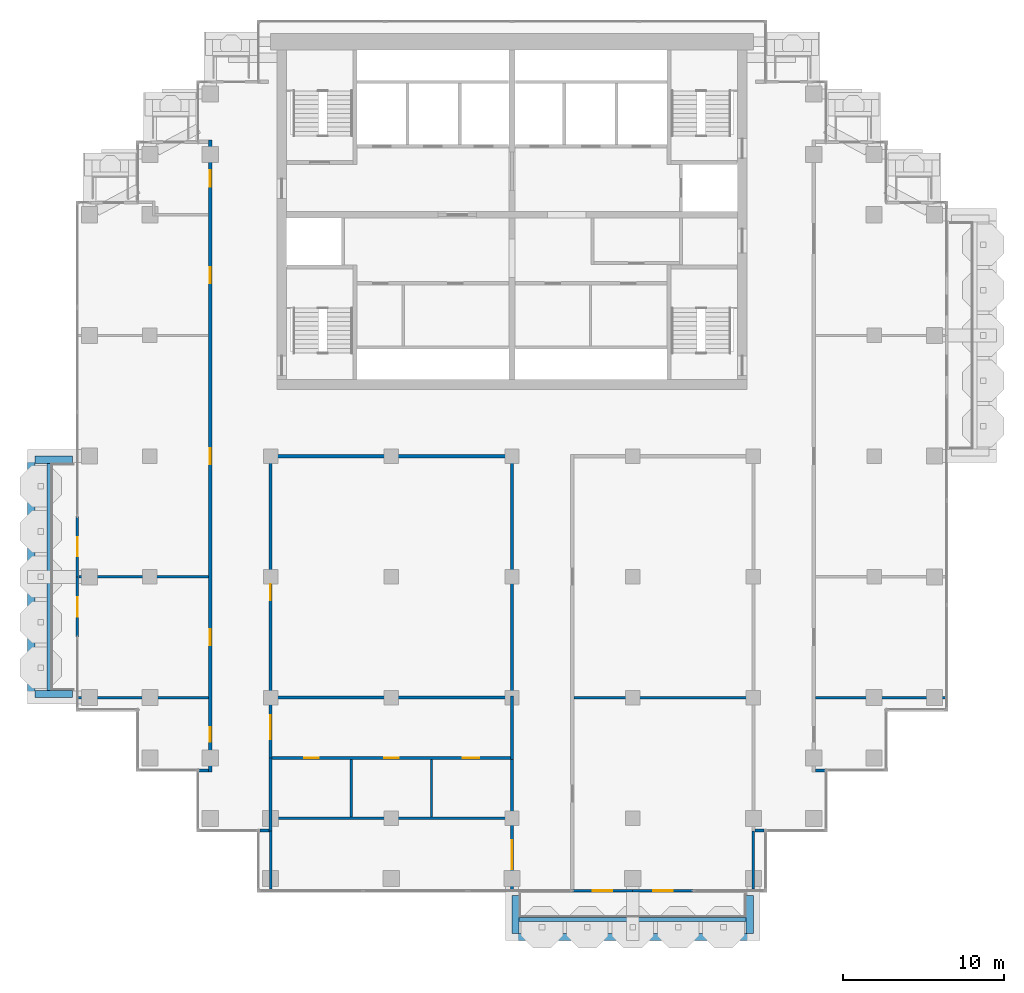
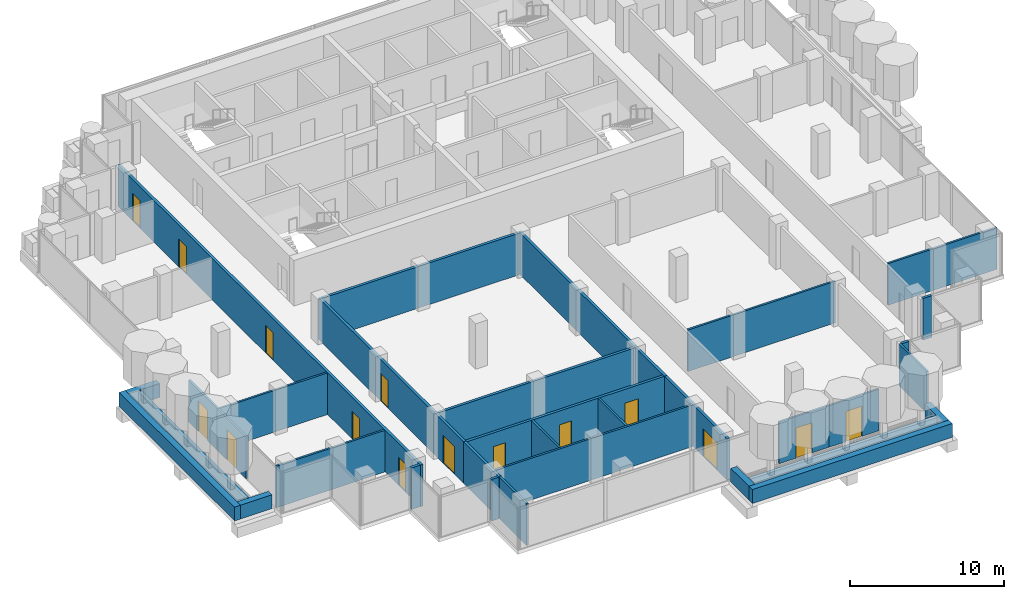
# One storey, part 11 of 18: 35 walls, 15 doors, 15 openings.
"""IFC4 building model written with IfcOpenShell, lengths in metres."""

from ifc_helpers import new_model, si_unit, direction, frame, frame_2d, origin, place, context, subcontext, project, spatial, rectangle, extrude, material, layer, layer_set, type_object, element, fill, save


model = new_model("IFC4")

# Units and contexts
model_context = context("Model", 3, precision=1e-05, world=origin(), true_north=direction((0.0, 1.0)))
body_context = subcontext(model_context, "Body", "Model", "MODEL_VIEW")
ifc_project = project(units=[si_unit("LENGTHUNIT", "METRE"), si_unit("AREAUNIT", "SQUARE_METRE"), si_unit("VOLUMEUNIT", "CUBIC_METRE"), si_unit("PLANEANGLEUNIT", "RADIAN"), si_unit("MASSUNIT", "GRAM", prefix="KILO")], contexts=[model_context])

# Site, building, storey
site_placement = place(None, origin())
site = spatial("IfcSite", under=ifc_project, at=site_placement, CompositionType="ELEMENT")
building_placement = place(site_placement, origin())
building = spatial("IfcBuilding", under=site, at=building_placement, Name="Pilkhan Gate Tower", CompositionType="ELEMENT")
storey_placement = place(building_placement, frame((0.0, 0.0, 210.300048828125)))
storey = spatial("IfcBuildingStorey", under=building, at=storey_placement, Name="L54", CompositionType="ELEMENT", Elevation=210.300048828125)

# Walls
ifc_material_1 = material(Name="Concrete C40/50", Category="concrete")
ifc_layer_1 = layer(ifc_material_1, 0.25)
ifc_layer_set_1 = layer_set([ifc_layer_1], Name="Balcony planter BP250")
wall_type_1 = type_object("IfcWallType", Name="Balcony planter BP250", PredefinedType="USERDEFINED", material=ifc_layer_set_1)
for number, where, z_axis, x_axis, name in (
    (1, (75.449951171875, 38.72509765625, 0.0), (0.0, 0.0, 1.0), (1.0, 0.0, 0.0), "Balcony planter L54 S"),
    (2, (46.22509765625, 52.949951171875, 0.0), (0.0, 0.0, 1.0), (0.0, 1.0, 0.0), "Balcony planter L54 W"),
):
    element("IfcWall", number, at=place(storey_placement, frame(where, z_axis=z_axis, x_axis=x_axis)), inside=storey, type_object=wall_type_1, Name=name, ObjectType="BALCONY PLANTER", PredefinedType="USERDEFINED", context=body_context, shape_type="SweptSolid", body=[
        extrude(rectangle(XDim=14.10009765625, YDim=0.25, at=frame_2d((7.050048828125, 0.0))), origin(), (0.0, 0.0, 1.0), 1.0),
    ])
ifc_material_2 = material(Name="Board-marked Concrete C40/50", Category="concrete")
ifc_layer_2 = layer(ifc_material_2, 0.449951171875)
ifc_layer_set_2 = layer_set([ifc_layer_2], Name="Balcony planter lip BL450")
wall_type_2 = type_object("IfcWallType", Name="Balcony planter lip BL450", PredefinedType="USERDEFINED", material=ifc_layer_set_2)
wall_1_placement = place(storey_placement, frame((75.0, 37.625, 0.0), z_axis=(0.0, 0.0, 1.0), x_axis=(1.0, 0.0, 0.0)))
element("IfcWall", 3, at=wall_1_placement, inside=storey, type_object=wall_type_2, Name="Balcony planter L54 S", ObjectType="BALCONY PLANTER", PredefinedType="USERDEFINED", context=body_context, shape_type="SweptSolid", body=[
    extrude(rectangle(XDim=15.0, YDim=0.449951171875, at=frame_2d((7.5, 0.0))), origin(), (0.0, 0.0, 1.0), 1.099853515625),
])
for number, where, z_axis, x_axis, name in (
    (4, (75.22509765625, 40.199951171875, 0.0), (0.0, 0.0, 1.0), (0.0, -1.0, 0.0), "Balcony planter L54 S"),
    (5, (89.77490234375, 40.199951171875, 0.0), (0.0, 0.0, 1.0), (0.0, -1.0, 0.0), "Balcony planter L54 S"),
):
    element("IfcWall", number, at=place(storey_placement, frame(where, z_axis=z_axis, x_axis=x_axis)), inside=storey, type_object=wall_type_2, Name=name, ObjectType="BALCONY PLANTER", PredefinedType="USERDEFINED", context=body_context, shape_type="SweptSolid", body=[
        extrude(rectangle(XDim=2.349853515625, YDim=0.449951171875, at=frame_2d((1.1748046875, 0.0))), origin(), (0.0, 0.0, 1.0), 1.099853515625),
    ])
wall_2_placement = place(storey_placement, frame((45.125, 52.5, 0.0), z_axis=(0.0, 0.0, 1.0), x_axis=(0.0, 1.0, 0.0)))
element("IfcWall", 6, at=wall_2_placement, inside=storey, type_object=wall_type_2, Name="Balcony planter L54 W", ObjectType="BALCONY PLANTER", PredefinedType="USERDEFINED", context=body_context, shape_type="SweptSolid", body=[
    extrude(rectangle(XDim=15.0, YDim=0.449951171875, at=frame_2d((7.5, 0.0))), origin(), (0.0, 0.0, 1.0), 1.099853515625),
])
for number, where, z_axis, x_axis, name in (
    (7, (47.699951171875, 52.72509765625, 0.0), (0.0, 0.0, 1.0), (-1.0, 0.0, 0.0), "Balcony planter L54 W"),
    (8, (47.699951171875, 67.27490234375, 0.0), (0.0, 0.0, 1.0), (-1.0, 0.0, 0.0), "Balcony planter L54 W"),
):
    element("IfcWall", number, at=place(storey_placement, frame(where, z_axis=z_axis, x_axis=x_axis)), inside=storey, type_object=wall_type_2, Name=name, ObjectType="BALCONY PLANTER", PredefinedType="USERDEFINED", context=body_context, shape_type="SweptSolid", body=[
        extrude(rectangle(XDim=2.349853515625, YDim=0.449951171875, at=frame_2d((1.1748046875, 0.0))), origin(), (0.0, 0.0, 1.0), 1.099853515625),
    ])
ifc_material_3 = material(Name="Dense blockwork", Category="masonry")
ifc_layer_3 = layer(ifc_material_3, 0.199951171875)
ifc_layer_set_3 = layer_set([ifc_layer_3], Name="Corridor wall FW200")
wall_type_3 = type_object("IfcWallType", Name="Corridor wall FW200", PredefinedType="PARTITIONING", material=ifc_layer_set_3)
for number, where, z_axis, x_axis, name in (
    (9, (59.35498046875, 44.235107421875, 0.0), (0.0, 0.0, 1.0), (1.0, 0.0, 0.0), "Partition L54"),
    (10, (90.10009765625, 44.235107421875, 0.0), (0.0, 0.0, 1.0), (1.0, 0.0, 0.0), "Partition L54"),
):
    element("IfcWall", number, at=place(storey_placement, frame(where, z_axis=z_axis, x_axis=x_axis)), inside=storey, type_object=wall_type_3, Name=name, PredefinedType="PARTITIONING", context=body_context, shape_type="SweptSolid", body=[
        extrude(rectangle(XDim=0.544921875, YDim=0.199951171875, at=frame_2d((0.2724609375, 0.0))), origin(), (0.0, 0.0, 1.0), 3.300048828125),
    ])
for number, where, z_axis, x_axis, name in (
    (11, (55.485107421875, 47.969970703125, 0.0), (0.0, 0.0, 1.0), (1.0, 0.0, 0.0), "Partition L54"),
    (12, (93.85009765625, 47.969970703125, 0.0), (0.0, 0.0, 1.0), (1.0, 0.0, 0.0), "Partition L54"),
):
    element("IfcWall", number, at=place(storey_placement, frame(where, z_axis=z_axis, x_axis=x_axis)), inside=storey, type_object=wall_type_3, Name=name, PredefinedType="PARTITIONING", context=body_context, shape_type="SweptSolid", body=[
        extrude(rectangle(XDim=0.664794921875, YDim=0.199951171875, at=frame_2d((0.33251953125, 0.0))), origin(), (0.0, 0.0, 1.0), 3.300048828125),
    ])
wall_3_placement = place(storey_placement, frame((60.10009765625, 67.5, 0.0), z_axis=(0.0, 0.0, 1.0), x_axis=(1.0, 0.0, 0.0)))
element("IfcWall", 13, at=wall_3_placement, inside=storey, type_object=wall_type_3, Name="Partition L54", PredefinedType="PARTITIONING", context=body_context, shape_type="SweptSolid", body=[
    extrude(rectangle(XDim=14.7998046875, YDim=0.199951171875, at=frame_2d((7.39990234375, 0.0))), origin(), (0.0, 0.0, 1.0), 3.300048828125),
])

# Wall, openings, doors
wall_4_placement = place(storey_placement, frame((56.25, 47.8701171875, 0.0), z_axis=(0.0, 0.0, 1.0), x_axis=(0.0, 1.0, 0.0)))
wall_4 = element("IfcWall", 14, at=wall_4_placement, inside=storey, type_object=wall_type_3, Name="Partition L54", PredefinedType="PARTITIONING", context=body_context, shape_type="SweptSolid", body=[
    extrude(rectangle(XDim=39.259765625, YDim=0.199951171875, at=frame_2d((19.6298828125, 0.0))), origin(), (0.0, 0.0, 1.0), 3.300048828125),
])
opening_1_placement = place(wall_4_placement, frame((1.89990234375, 0.0, 0.0)))
opening_1 = element("IfcOpeningElement", 15, at=opening_1_placement, cuts=wall_4, Name="Opening L54-21", PredefinedType="OPENING", context=body_context, shape_type="SweptSolid", body=[
    extrude(rectangle(XDim=0.89990234375, YDim=2.199951171875, at=frame_2d((0.449951171875, 1.10009765625))), frame((0.0, 0.10986328125, 0.0), z_axis=(0.0, -1.0, 0.0), x_axis=(1.0, 0.0, 0.0)), (0.0, 0.0, 1.0), 0.219970703125),
])
opening_2_placement = place(wall_4_placement, frame((7.8798828125, 0.0, 0.0)))
opening_2 = element("IfcOpeningElement", 16, at=opening_2_placement, cuts=wall_4, Name="Opening L54-22", PredefinedType="OPENING", context=body_context, shape_type="SweptSolid", body=[
    extrude(rectangle(XDim=1.0, YDim=2.199951171875, at=frame_2d((0.5, 1.10009765625))), frame((0.0, 0.10986328125, 0.0), z_axis=(0.0, -1.0, 0.0), x_axis=(1.0, 0.0, 0.0)), (0.0, 0.0, 1.0), 0.219970703125),
])
opening_3_placement = place(wall_4_placement, frame((19.1298828125, 0.0, 0.0)))
opening_3 = element("IfcOpeningElement", 17, at=opening_3_placement, cuts=wall_4, Name="Opening L54-23", PredefinedType="OPENING", context=body_context, shape_type="SweptSolid", body=[
    extrude(rectangle(XDim=1.0, YDim=2.199951171875, at=frame_2d((0.5, 1.10009765625))), frame((0.0, 0.10986328125, 0.0), z_axis=(0.0, -1.0, 0.0), x_axis=(1.0, 0.0, 0.0)), (0.0, 0.0, 1.0), 0.219970703125),
])
opening_4_placement = place(wall_4_placement, frame((30.3798828125, 0.0, 0.0)))
opening_4 = element("IfcOpeningElement", 18, at=opening_4_placement, cuts=wall_4, Name="Opening L54-27", PredefinedType="OPENING", context=body_context, shape_type="SweptSolid", body=[
    extrude(rectangle(XDim=1.0, YDim=2.199951171875, at=frame_2d((0.5, 1.10009765625))), frame((0.0, 0.10986328125, 0.0), z_axis=(0.0, -1.0, 0.0), x_axis=(1.0, 0.0, 0.0)), (0.0, 0.0, 1.0), 0.219970703125),
])
opening_5_placement = place(wall_4_placement, frame((36.3798828125, 0.0, 0.0)))
opening_5 = element("IfcOpeningElement", 19, at=opening_5_placement, cuts=wall_4, Name="Opening L54-28", PredefinedType="OPENING", context=body_context, shape_type="SweptSolid", body=[
    extrude(rectangle(XDim=1.0, YDim=2.199951171875, at=frame_2d((0.5, 1.10009765625))), frame((0.0, 0.10986328125, 0.0), z_axis=(0.0, -1.0, 0.0), x_axis=(1.0, 0.0, 0.0)), (0.0, 0.0, 1.0), 0.219970703125),
])
ifc_material_4 = material(Name="Timber flush door, 30 minute fire resisting", Category="wood")
door_type_1 = type_object("IfcDoorType", Name="Room door D03 1000x2200", OperationType="SINGLE_SWING_LEFT", PredefinedType="DOOR", material=ifc_material_4)
door_1_placement = place(opening_2_placement, origin())
door_1 = element("IfcDoor", 20, at=door_1_placement, inside=storey, type_object=door_type_1, Name="Room door", OperationType="SINGLE_SWING_RIGHT", OverallHeight=2.199951171875, OverallWidth=1.0, PredefinedType="DOOR", context=body_context, shape_type="SweptSolid", body=[
    extrude(rectangle(XDim=1.0, YDim=2.199951171875, at=frame_2d((0.5, 1.10009765625))), frame((0.0, 0.02490234375, 0.0), z_axis=(0.0, -1.0, 0.0), x_axis=(1.0, 0.0, 0.0)), (0.0, 0.0, 1.0), 0.050048828125),
])
fill(opening_2, door_1)
door_2_placement = place(opening_3_placement, origin())
door_2 = element("IfcDoor", 21, at=door_2_placement, inside=storey, type_object=door_type_1, Name="Room door", OperationType="SINGLE_SWING_LEFT", OverallHeight=2.199951171875, OverallWidth=1.0, PredefinedType="DOOR", context=body_context, shape_type="SweptSolid", body=[
    extrude(rectangle(XDim=1.0, YDim=2.199951171875, at=frame_2d((0.5, 1.10009765625))), frame((0.0, 0.02490234375, 0.0), z_axis=(0.0, -1.0, 0.0), x_axis=(1.0, 0.0, 0.0)), (0.0, 0.0, 1.0), 0.050048828125),
])
fill(opening_3, door_2)
door_3_placement = place(opening_4_placement, origin())
door_3 = element("IfcDoor", 22, at=door_3_placement, inside=storey, type_object=door_type_1, Name="Room door", OperationType="SINGLE_SWING_LEFT", OverallHeight=2.199951171875, OverallWidth=1.0, PredefinedType="DOOR", context=body_context, shape_type="SweptSolid", body=[
    extrude(rectangle(XDim=1.0, YDim=2.199951171875, at=frame_2d((0.5, 1.10009765625))), frame((0.0, 0.02490234375, 0.0), z_axis=(0.0, -1.0, 0.0), x_axis=(1.0, 0.0, 0.0)), (0.0, 0.0, 1.0), 0.050048828125),
])
fill(opening_4, door_3)
door_4_placement = place(opening_5_placement, origin())
door_4 = element("IfcDoor", 23, at=door_4_placement, inside=storey, type_object=door_type_1, Name="Room door", OperationType="SINGLE_SWING_LEFT", OverallHeight=2.199951171875, OverallWidth=1.0, PredefinedType="DOOR", context=body_context, shape_type="SweptSolid", body=[
    extrude(rectangle(XDim=1.0, YDim=2.199951171875, at=frame_2d((0.5, 1.10009765625))), frame((0.0, 0.02490234375, 0.0), z_axis=(0.0, -1.0, 0.0), x_axis=(1.0, 0.0, 0.0)), (0.0, 0.0, 1.0), 0.050048828125),
])
fill(opening_5, door_4)
ifc_material_5 = material(Name="Timber flush door, 60 minute fire resisting, self-closing", Category="wood")
door_type_2 = type_object("IfcDoorType", Name="Store door D05 900x2200", OperationType="SINGLE_SWING_LEFT", PredefinedType="DOOR", material=ifc_material_5)
door_5_placement = place(opening_1_placement, origin())
door_5 = element("IfcDoor", 24, at=door_5_placement, inside=storey, type_object=door_type_2, Name="Store door", OperationType="SINGLE_SWING_LEFT", OverallHeight=2.199951171875, OverallWidth=0.89990234375, PredefinedType="DOOR", context=body_context, shape_type="SweptSolid", body=[
    extrude(rectangle(XDim=0.89990234375, YDim=2.199951171875, at=frame_2d((0.449951171875, 1.10009765625))), frame((0.0, 0.02490234375, 0.0), z_axis=(0.0, -1.0, 0.0), x_axis=(1.0, 0.0, 0.0)), (0.0, 0.0, 1.0), 0.050048828125),
])
fill(opening_1, door_5)

# Wall
wall_5_placement = place(storey_placement, frame((60.0, 44.135009765625, 0.0), z_axis=(0.0, 0.0, 1.0), x_axis=(0.0, 1.0, 0.0)))
element("IfcWall", 25, at=wall_5_placement, inside=storey, type_object=wall_type_3, Name="Partition L54", PredefinedType="PARTITIONING", context=body_context, shape_type="SweptSolid", body=[
    extrude(rectangle(XDim=4.614990234375, YDim=0.199951171875, at=frame_2d((2.3076171875, 0.0))), origin(), (0.0, 0.0, 1.0), 3.300048828125),
])

# Wall, opening, door
wall_6_placement = place(storey_placement, frame((60.0, 52.5, 0.0), z_axis=(0.0, 0.0, 1.0), x_axis=(0.0, 1.0, 0.0)))
wall_6 = element("IfcWall", 26, at=wall_6_placement, inside=storey, type_object=wall_type_3, Name="Partition L54", PredefinedType="PARTITIONING", context=body_context, shape_type="SweptSolid", body=[
    extrude(rectangle(XDim=15.10009765625, YDim=0.199951171875, at=frame_2d((7.550048828125, 0.0))), origin(), (0.0, 0.0, 1.0), 3.300048828125),
])
opening_6_placement = place(wall_6_placement, frame((6.050048828125, 0.0, 0.0)))
opening_6 = element("IfcOpeningElement", 27, at=opening_6_placement, cuts=wall_6, Name="Opening L54-18", PredefinedType="OPENING", context=body_context, shape_type="SweptSolid", body=[
    extrude(rectangle(XDim=1.0, YDim=2.199951171875, at=frame_2d((0.5, 1.10009765625))), frame((0.0, 0.10986328125, 0.0), z_axis=(0.0, -1.0, 0.0), x_axis=(1.0, 0.0, 0.0)), (0.0, 0.0, 1.0), 0.219970703125),
])
door_6_placement = place(opening_6_placement, origin())
door_6 = element("IfcDoor", 28, at=door_6_placement, inside=storey, type_object=door_type_1, Name="Room door", OperationType="SINGLE_SWING_LEFT", OverallHeight=2.199951171875, OverallWidth=1.0, PredefinedType="DOOR", context=body_context, shape_type="SweptSolid", body=[
    extrude(rectangle(XDim=1.0, YDim=2.199951171875, at=frame_2d((0.5, 1.10009765625))), frame((0.0, 0.02490234375, 0.0), z_axis=(0.0, -1.0, 0.0), x_axis=(1.0, 0.0, 0.0)), (0.0, 0.0, 1.0), 0.050048828125),
])
fill(opening_6, door_6)

wall_7_placement = place(storey_placement, frame((75.0, 40.485107421875, 0.0), z_axis=(0.0, 0.0, 1.0), x_axis=(0.0, 1.0, 0.0)))
wall_7 = element("IfcWall", 29, at=wall_7_placement, inside=storey, type_object=wall_type_3, Name="Partition L54", PredefinedType="PARTITIONING", context=body_context, shape_type="SweptSolid", body=[
    extrude(rectangle(XDim=8.264892578125, YDim=0.199951171875, at=frame_2d((4.13232421875, 0.0))), origin(), (0.0, 0.0, 1.0), 3.300048828125),
])
opening_7_placement = place(wall_7_placement, frame((1.35009765625, 0.0, 0.0)))
opening_7 = element("IfcOpeningElement", 30, at=opening_7_placement, cuts=wall_7, Name="Opening L54-17", PredefinedType="OPENING", context=body_context, shape_type="SweptSolid", body=[
    extrude(rectangle(XDim=1.800048828125, YDim=2.199951171875, at=frame_2d((0.89990234375, 1.10009765625))), frame((0.0, 0.10986328125, 0.0), z_axis=(0.0, -1.0, 0.0), x_axis=(1.0, 0.0, 0.0)), (0.0, 0.0, 1.0), 0.219970703125),
])
ifc_material_6 = material(Name="Timber glazed double door, 30 minute fire resisting", Category="wood")
door_type_3 = type_object("IfcDoorType", Name="Double door D04 1800x2200", OperationType="DOUBLE_DOOR_SINGLE_SWING", PredefinedType="DOOR", material=ifc_material_6)
door_7_placement = place(opening_7_placement, origin())
door_7 = element("IfcDoor", 31, at=door_7_placement, inside=storey, type_object=door_type_3, Name="Double door", OperationType="DOUBLE_DOOR_SINGLE_SWING", OverallHeight=2.199951171875, OverallWidth=1.800048828125, PredefinedType="DOOR", context=body_context, shape_type="SweptSolid", body=[
    extrude(rectangle(XDim=1.800048828125, YDim=2.199951171875, at=frame_2d((0.89990234375, 1.10009765625))), frame((0.0, 0.02490234375, 0.0), z_axis=(0.0, -1.0, 0.0), x_axis=(1.0, 0.0, 0.0)), (0.0, 0.0, 1.0), 0.050048828125),
])
fill(opening_7, door_7)

# Wall
wall_8_placement = place(storey_placement, frame((75.0, 52.5, 0.0), z_axis=(0.0, 0.0, 1.0), x_axis=(0.0, 1.0, 0.0)))
element("IfcWall", 32, at=wall_8_placement, inside=storey, type_object=wall_type_3, Name="Partition L54", PredefinedType="PARTITIONING", context=body_context, shape_type="SweptSolid", body=[
    extrude(rectangle(XDim=15.10009765625, YDim=0.199951171875, at=frame_2d((7.550048828125, 0.0))), origin(), (0.0, 0.0, 1.0), 3.300048828125),
])

# Wall, opening, door
ifc_material_7 = material(Name="Pale anodised aluminium, clear laminated glazing", Category="aluminium")
ifc_layer_4 = layer(ifc_material_7, 0.14990234375)
ifc_layer_set_4 = layer_set([ifc_layer_4], Name="Facade infill wall IW150")
wall_type_4 = type_object("IfcWallType", Name="Facade infill wall IW150", PredefinedType="SOLIDWALL", material=ifc_layer_set_4)
wall_9_placement = place(storey_placement, frame((48.0, 56.25, 0.0), z_axis=(0.0, 0.0, 1.0), x_axis=(0.0, 1.0, 0.0)))
wall_9 = element("IfcWall", 33, at=wall_9_placement, inside=storey, type_object=wall_type_4, Name="Infill wall L54 W", PredefinedType="SOLIDWALL", context=body_context, shape_type="SweptSolid", body=[
    extrude(rectangle(XDim=3.75, YDim=0.14990234375, at=frame_2d((1.875, 0.0))), origin(), (0.0, 0.0, 1.0), 3.300048828125),
])
opening_8_placement = place(wall_9_placement, frame((1.27490234375, 0.0, 0.0)))
opening_8 = element("IfcOpeningElement", 34, at=opening_8_placement, cuts=wall_9, Name="Opening D1", PredefinedType="OPENING", context=body_context, shape_type="SweptSolid", body=[
    extrude(rectangle(XDim=1.199951171875, YDim=2.39990234375, at=frame_2d((0.60009765625, 1.199951171875))), frame((0.0, 0.0849609375, 0.0), z_axis=(0.0, -1.0, 0.0), x_axis=(1.0, 0.0, 0.0)), (0.0, 0.0, 1.0), 0.169921875),
])
ifc_material_8 = material(Name="Pale anodised aluminium, clear glazing", Category="aluminium")
door_type_4 = type_object("IfcDoorType", Name="Balcony door D1 1200x2400", OperationType="SINGLE_SWING_LEFT", PredefinedType="DOOR", material=ifc_material_8)
door_8_placement = place(opening_8_placement, origin())
door_8 = element("IfcDoor", 35, at=door_8_placement, inside=storey, type_object=door_type_4, Name="Balcony door L54", OperationType="SINGLE_SWING_LEFT", OverallHeight=2.39990234375, OverallWidth=1.199951171875, PredefinedType="DOOR", context=body_context, shape_type="SweptSolid", body=[
    extrude(rectangle(XDim=1.199951171875, YDim=2.39990234375, at=frame_2d((0.60009765625, 1.199951171875))), frame((0.0, 0.02490234375, 0.0), z_axis=(0.0, -1.0, 0.0), x_axis=(1.0, 0.0, 0.0)), (0.0, 0.0, 1.0), 0.050048828125),
])
fill(opening_8, door_8)

wall_10_placement = place(storey_placement, frame((48.0, 60.0, 0.0), z_axis=(0.0, 0.0, 1.0), x_axis=(0.0, 1.0, 0.0)))
wall_10 = element("IfcWall", 36, at=wall_10_placement, inside=storey, type_object=wall_type_4, Name="Infill wall L54 W", PredefinedType="SOLIDWALL", context=body_context, shape_type="SweptSolid", body=[
    extrude(rectangle(XDim=3.75, YDim=0.14990234375, at=frame_2d((1.875, 0.0))), origin(), (0.0, 0.0, 1.0), 3.300048828125),
])
opening_9_placement = place(wall_10_placement, frame((1.27490234375, 0.0, 0.0)))
opening_9 = element("IfcOpeningElement", 37, at=opening_9_placement, cuts=wall_10, Name="Opening D1", PredefinedType="OPENING", context=body_context, shape_type="SweptSolid", body=[
    extrude(rectangle(XDim=1.199951171875, YDim=2.39990234375, at=frame_2d((0.60009765625, 1.199951171875))), frame((0.0, 0.0849609375, 0.0), z_axis=(0.0, -1.0, 0.0), x_axis=(1.0, 0.0, 0.0)), (0.0, 0.0, 1.0), 0.169921875),
])
door_9_placement = place(opening_9_placement, origin())
door_9 = element("IfcDoor", 38, at=door_9_placement, inside=storey, type_object=door_type_4, Name="Balcony door L54", OperationType="SINGLE_SWING_LEFT", OverallHeight=2.39990234375, OverallWidth=1.199951171875, PredefinedType="DOOR", context=body_context, shape_type="SweptSolid", body=[
    extrude(rectangle(XDim=1.199951171875, YDim=2.39990234375, at=frame_2d((0.60009765625, 1.199951171875))), frame((0.0, 0.02490234375, 0.0), z_axis=(0.0, -1.0, 0.0), x_axis=(1.0, 0.0, 0.0)), (0.0, 0.0, 1.0), 0.050048828125),
])
fill(opening_9, door_9)

wall_11_placement = place(storey_placement, frame((78.75, 40.5, 0.0), z_axis=(0.0, 0.0, 1.0), x_axis=(1.0, 0.0, 0.0)))
wall_11 = element("IfcWall", 39, at=wall_11_placement, inside=storey, type_object=wall_type_4, Name="Infill wall L54 S", PredefinedType="SOLIDWALL", context=body_context, shape_type="SweptSolid", body=[
    extrude(rectangle(XDim=3.75, YDim=0.14990234375, at=frame_2d((1.875, 0.0))), origin(), (0.0, 0.0, 1.0), 3.300048828125),
])
opening_10_placement = place(wall_11_placement, frame((1.27490234375, 0.0, 0.0)))
opening_10 = element("IfcOpeningElement", 40, at=opening_10_placement, cuts=wall_11, Name="Opening D1", PredefinedType="OPENING", context=body_context, shape_type="SweptSolid", body=[
    extrude(rectangle(XDim=1.199951171875, YDim=2.39990234375, at=frame_2d((0.60009765625, 1.199951171875))), frame((0.0, 0.0849609375, 0.0), z_axis=(0.0, -1.0, 0.0), x_axis=(1.0, 0.0, 0.0)), (0.0, 0.0, 1.0), 0.169921875),
])
door_10_placement = place(opening_10_placement, origin())
door_10 = element("IfcDoor", 41, at=door_10_placement, inside=storey, type_object=door_type_4, Name="Balcony door L54", OperationType="SINGLE_SWING_LEFT", OverallHeight=2.39990234375, OverallWidth=1.199951171875, PredefinedType="DOOR", context=body_context, shape_type="SweptSolid", body=[
    extrude(rectangle(XDim=1.199951171875, YDim=2.39990234375, at=frame_2d((0.60009765625, 1.199951171875))), frame((0.0, 0.02490234375, 0.0), z_axis=(0.0, -1.0, 0.0), x_axis=(1.0, 0.0, 0.0)), (0.0, 0.0, 1.0), 0.050048828125),
])
fill(opening_10, door_10)

wall_12_placement = place(storey_placement, frame((82.5, 40.5, 0.0), z_axis=(0.0, 0.0, 1.0), x_axis=(1.0, 0.0, 0.0)))
wall_12 = element("IfcWall", 42, at=wall_12_placement, inside=storey, type_object=wall_type_4, Name="Infill wall L54 S", PredefinedType="SOLIDWALL", context=body_context, shape_type="SweptSolid", body=[
    extrude(rectangle(XDim=3.75, YDim=0.14990234375, at=frame_2d((1.875, 0.0))), origin(), (0.0, 0.0, 1.0), 3.300048828125),
])
opening_11_placement = place(wall_12_placement, frame((1.27490234375, 0.0, 0.0)))
opening_11 = element("IfcOpeningElement", 43, at=opening_11_placement, cuts=wall_12, Name="Opening D1", PredefinedType="OPENING", context=body_context, shape_type="SweptSolid", body=[
    extrude(rectangle(XDim=1.199951171875, YDim=2.39990234375, at=frame_2d((0.60009765625, 1.199951171875))), frame((0.0, 0.0849609375, 0.0), z_axis=(0.0, -1.0, 0.0), x_axis=(1.0, 0.0, 0.0)), (0.0, 0.0, 1.0), 0.169921875),
])
door_11_placement = place(opening_11_placement, origin())
door_11 = element("IfcDoor", 44, at=door_11_placement, inside=storey, type_object=door_type_4, Name="Balcony door L54", OperationType="SINGLE_SWING_LEFT", OverallHeight=2.39990234375, OverallWidth=1.199951171875, PredefinedType="DOOR", context=body_context, shape_type="SweptSolid", body=[
    extrude(rectangle(XDim=1.199951171875, YDim=2.39990234375, at=frame_2d((0.60009765625, 1.199951171875))), frame((0.0, 0.02490234375, 0.0), z_axis=(0.0, -1.0, 0.0), x_axis=(1.0, 0.0, 0.0)), (0.0, 0.0, 1.0), 0.050048828125),
])
fill(opening_11, door_11)

# Wall, openings, doors
ifc_layer_5 = layer(ifc_material_3, 0.199951171875)
ifc_layer_set_5 = layer_set([ifc_layer_5], Name="Lobby wall LW200")
wall_type_5 = type_object("IfcWallType", Name="Lobby wall LW200", PredefinedType="PARTITIONING", material=ifc_layer_set_5)
wall_13_placement = place(storey_placement, frame((60.10009765625, 48.75, 0.0), z_axis=(0.0, 0.0, 1.0), x_axis=(1.0, 0.0, 0.0)))
wall_13 = element("IfcWall", 45, at=wall_13_placement, inside=storey, type_object=wall_type_5, Name="Partition L54", PredefinedType="PARTITIONING", context=body_context, shape_type="SweptSolid", body=[
    extrude(rectangle(XDim=14.7998046875, YDim=0.199951171875, at=frame_2d((7.39990234375, 0.0))), origin(), (0.0, 0.0, 1.0), 3.300048828125),
])
opening_12_placement = place(wall_13_placement, frame((2.0, 0.0, 0.0)))
opening_12 = element("IfcOpeningElement", 46, at=opening_12_placement, cuts=wall_13, Name="Opening L54-14", PredefinedType="OPENING", context=body_context, shape_type="SweptSolid", body=[
    extrude(rectangle(XDim=0.89990234375, YDim=2.199951171875, at=frame_2d((0.449951171875, 1.10009765625))), frame((0.0, 0.10986328125, 0.0), z_axis=(0.0, -1.0, 0.0), x_axis=(1.0, 0.0, 0.0)), (0.0, 0.0, 1.0), 0.219970703125),
])
opening_13_placement = place(wall_13_placement, frame((6.949951171875, 0.0, 0.0)))
opening_13 = element("IfcOpeningElement", 47, at=opening_13_placement, cuts=wall_13, Name="Opening L54-15", PredefinedType="OPENING", context=body_context, shape_type="SweptSolid", body=[
    extrude(rectangle(XDim=0.89990234375, YDim=2.199951171875, at=frame_2d((0.449951171875, 1.10009765625))), frame((0.0, 0.10986328125, 0.0), z_axis=(0.0, -1.0, 0.0), x_axis=(1.0, 0.0, 0.0)), (0.0, 0.0, 1.0), 0.219970703125),
])
opening_14_placement = place(wall_13_placement, frame((11.85009765625, 0.0, 0.0)))
opening_14 = element("IfcOpeningElement", 48, at=opening_14_placement, cuts=wall_13, Name="Opening L54-16", PredefinedType="OPENING", context=body_context, shape_type="SweptSolid", body=[
    extrude(rectangle(XDim=1.0, YDim=2.199951171875, at=frame_2d((0.5, 1.10009765625))), frame((0.0, 0.10986328125, 0.0), z_axis=(0.0, -1.0, 0.0), x_axis=(1.0, 0.0, 0.0)), (0.0, 0.0, 1.0), 0.219970703125),
])
ifc_material_9 = material(Name="Timber flush door, outward opening, 30 minute fire resisting", Category="wood")
door_type_5 = type_object("IfcDoorType", Name="Accessible toilet door D07 1000x2200", OperationType="SINGLE_SWING_LEFT", PredefinedType="DOOR", material=ifc_material_9)
door_12_placement = place(opening_14_placement, origin())
door_12 = element("IfcDoor", 49, at=door_12_placement, inside=storey, type_object=door_type_5, Name="Accessible toilet door", OperationType="SINGLE_SWING_RIGHT", OverallHeight=2.199951171875, OverallWidth=1.0, PredefinedType="DOOR", context=body_context, shape_type="SweptSolid", body=[
    extrude(rectangle(XDim=1.0, YDim=2.199951171875, at=frame_2d((0.5, 1.10009765625))), frame((0.0, 0.02490234375, 0.0), z_axis=(0.0, -1.0, 0.0), x_axis=(1.0, 0.0, 0.0)), (0.0, 0.0, 1.0), 0.050048828125),
])
fill(opening_14, door_12)
door_type_6 = type_object("IfcDoorType", Name="Toilet door D06 900x2200", OperationType="SINGLE_SWING_LEFT", PredefinedType="DOOR", material=ifc_material_4)
door_13_placement = place(opening_12_placement, origin())
door_13 = element("IfcDoor", 50, at=door_13_placement, inside=storey, type_object=door_type_6, Name="Toilet door", OperationType="SINGLE_SWING_LEFT", OverallHeight=2.199951171875, OverallWidth=0.89990234375, PredefinedType="DOOR", context=body_context, shape_type="SweptSolid", body=[
    extrude(rectangle(XDim=0.89990234375, YDim=2.199951171875, at=frame_2d((0.449951171875, 1.10009765625))), frame((0.0, 0.02490234375, 0.0), z_axis=(0.0, -1.0, 0.0), x_axis=(1.0, 0.0, 0.0)), (0.0, 0.0, 1.0), 0.050048828125),
])
fill(opening_12, door_13)
door_14_placement = place(opening_13_placement, origin())
door_14 = element("IfcDoor", 51, at=door_14_placement, inside=storey, type_object=door_type_6, Name="Toilet door", OperationType="SINGLE_SWING_RIGHT", OverallHeight=2.199951171875, OverallWidth=0.89990234375, PredefinedType="DOOR", context=body_context, shape_type="SweptSolid", body=[
    extrude(rectangle(XDim=0.89990234375, YDim=2.199951171875, at=frame_2d((0.449951171875, 1.10009765625))), frame((0.0, 0.02490234375, 0.0), z_axis=(0.0, -1.0, 0.0), x_axis=(1.0, 0.0, 0.0)), (0.0, 0.0, 1.0), 0.050048828125),
])
fill(opening_13, door_14)

# Wall
wall_14_placement = place(storey_placement, frame((60.10009765625, 52.5, 0.0), z_axis=(0.0, 0.0, 1.0), x_axis=(1.0, 0.0, 0.0)))
element("IfcWall", 52, at=wall_14_placement, inside=storey, type_object=wall_type_5, Name="Partition L54", PredefinedType="PARTITIONING", context=body_context, shape_type="SweptSolid", body=[
    extrude(rectangle(XDim=14.7998046875, YDim=0.199951171875, at=frame_2d((7.39990234375, 0.0))), origin(), (0.0, 0.0, 1.0), 3.300048828125),
])

# Wall, opening, door
wall_15_placement = place(storey_placement, frame((60.0, 48.64990234375, 0.0), z_axis=(0.0, 0.0, 1.0), x_axis=(0.0, 1.0, 0.0)))
wall_15 = element("IfcWall", 53, at=wall_15_placement, inside=storey, type_object=wall_type_5, Name="Partition L54", PredefinedType="PARTITIONING", context=body_context, shape_type="SweptSolid", body=[
    extrude(rectangle(XDim=3.9501953125, YDim=0.199951171875, at=frame_2d((1.97509765625, 0.0))), origin(), (0.0, 0.0, 1.0), 3.300048828125),
])
opening_15_placement = place(wall_15_placement, frame((1.25, 0.0, 0.0)))
opening_15 = element("IfcOpeningElement", 54, at=opening_15_placement, cuts=wall_15, Name="Opening L54-13", PredefinedType="OPENING", context=body_context, shape_type="SweptSolid", body=[
    extrude(rectangle(XDim=1.5, YDim=2.199951171875, at=frame_2d((0.75, 1.10009765625))), frame((0.0, 0.10986328125, 0.0), z_axis=(0.0, -1.0, 0.0), x_axis=(1.0, 0.0, 0.0)), (0.0, 0.0, 1.0), 0.219970703125),
])
ifc_material_10 = material(Name="Steel framed glazed door, 60 minute fire resisting", Category="steel")
door_type_7 = type_object("IfcDoorType", Name="Lobby door D09 1500x2200", OperationType="DOUBLE_DOOR_SINGLE_SWING", PredefinedType="DOOR", material=ifc_material_10)
door_15_placement = place(opening_15_placement, origin())
door_15 = element("IfcDoor", 55, at=door_15_placement, inside=storey, type_object=door_type_7, Name="Lobby door", OperationType="DOUBLE_DOOR_SINGLE_SWING", OverallHeight=2.199951171875, OverallWidth=1.5, PredefinedType="DOOR", context=body_context, shape_type="SweptSolid", body=[
    extrude(rectangle(XDim=1.5, YDim=2.199951171875, at=frame_2d((0.75, 1.10009765625))), frame((0.0, 0.02490234375, 0.0), z_axis=(0.0, -1.0, 0.0), x_axis=(1.0, 0.0, 0.0)), (0.0, 0.0, 1.0), 0.050048828125),
])
fill(opening_15, door_15)

# Walls
wall_16_placement = place(storey_placement, frame((75.0, 48.64990234375, 0.0), z_axis=(0.0, 0.0, 1.0), x_axis=(0.0, 1.0, 0.0)))
element("IfcWall", 56, at=wall_16_placement, inside=storey, type_object=wall_type_5, Name="Partition L54", PredefinedType="PARTITIONING", context=body_context, shape_type="SweptSolid", body=[
    extrude(rectangle(XDim=3.9501953125, YDim=0.199951171875, at=frame_2d((1.97509765625, 0.0))), origin(), (0.0, 0.0, 1.0), 3.300048828125),
])
ifc_material_11 = material(Name="Blockwork partition, plastered both sides", Category="masonry")
ifc_layer_6 = layer(ifc_material_11, 0.14990234375)
ifc_layer_set_6 = layer_set([ifc_layer_6], Name="Partition PW150")
wall_type_6 = type_object("IfcWallType", Name="Partition PW150", PredefinedType="PARTITIONING", material=ifc_layer_set_6)
wall_17_placement = place(storey_placement, frame((60.10009765625, 45.0, 0.0), z_axis=(0.0, 0.0, 1.0), x_axis=(1.0, 0.0, 0.0)))
element("IfcWall", 57, at=wall_17_placement, inside=storey, type_object=wall_type_6, Name="Partition L54", PredefinedType="PARTITIONING", context=body_context, shape_type="SweptSolid", body=[
    extrude(rectangle(XDim=14.7998046875, YDim=0.14990234375, at=frame_2d((7.39990234375, 0.0))), origin(), (0.0, 0.0, 1.0), 3.300048828125),
])
wall_18_placement = place(storey_placement, frame((47.985107421875, 52.5, 0.0), z_axis=(0.0, 0.0, 1.0), x_axis=(1.0, 0.0, 0.0)))
element("IfcWall", 58, at=wall_18_placement, inside=storey, type_object=wall_type_6, Name="Partition L54", PredefinedType="PARTITIONING", context=body_context, shape_type="SweptSolid", body=[
    extrude(rectangle(XDim=8.164794921875, YDim=0.14990234375, at=frame_2d((4.08251953125, 0.0))), origin(), (0.0, 0.0, 1.0), 3.300048828125),
])
wall_19_placement = place(storey_placement, frame((78.85009765625, 52.5, 0.0), z_axis=(0.0, 0.0, 1.0), x_axis=(1.0, 0.0, 0.0)))
element("IfcWall", 59, at=wall_19_placement, inside=storey, type_object=wall_type_6, Name="Partition L54", PredefinedType="PARTITIONING", context=body_context, shape_type="SweptSolid", body=[
    extrude(rectangle(XDim=11.0498046875, YDim=0.14990234375, at=frame_2d((5.52490234375, 0.0))), origin(), (0.0, 0.0, 1.0), 3.300048828125),
])
wall_20_placement = place(storey_placement, frame((93.85009765625, 52.5, 0.0), z_axis=(0.0, 0.0, 1.0), x_axis=(1.0, 0.0, 0.0)))
element("IfcWall", 60, at=wall_20_placement, inside=storey, type_object=wall_type_6, Name="Partition L54", PredefinedType="PARTITIONING", context=body_context, shape_type="SweptSolid", body=[
    extrude(rectangle(XDim=8.164794921875, YDim=0.14990234375, at=frame_2d((4.08251953125, 0.0))), origin(), (0.0, 0.0, 1.0), 3.300048828125),
])
wall_21_placement = place(storey_placement, frame((48.0849609375, 60.0, 0.0), z_axis=(0.0, 0.0, 1.0), x_axis=(1.0, 0.0, 0.0)))
element("IfcWall", 61, at=wall_21_placement, inside=storey, type_object=wall_type_6, Name="Partition L54", PredefinedType="PARTITIONING", context=body_context, shape_type="SweptSolid", body=[
    extrude(rectangle(XDim=8.06494140625, YDim=0.14990234375, at=frame_2d((4.032470703125, 0.0))), origin(), (0.0, 0.0, 1.0), 3.300048828125),
])
wall_22_placement = place(storey_placement, frame((60.0, 40.60498046875, 0.0), z_axis=(0.0, 0.0, 1.0), x_axis=(0.0, 1.0, 0.0)))
element("IfcWall", 62, at=wall_22_placement, inside=storey, type_object=wall_type_6, Name="Partition L54", PredefinedType="PARTITIONING", context=body_context, shape_type="SweptSolid", body=[
    extrude(rectangle(XDim=3.60009765625, YDim=0.14990234375, at=frame_2d((1.800048828125, 0.0))), origin(), (0.0, 0.0, 1.0), 3.300048828125),
])
for number, where, z_axis, x_axis, name in (
    (63, (65.0, 45.074951171875, 0.0), (0.0, 0.0, 1.0), (0.0, 1.0, 0.0), "Partition L54"),
    (64, (70.0, 45.074951171875, 0.0), (0.0, 0.0, 1.0), (0.0, 1.0, 0.0), "Partition L54"),
):
    element("IfcWall", number, at=place(storey_placement, frame(where, z_axis=z_axis, x_axis=x_axis)), inside=storey, type_object=wall_type_6, Name=name, PredefinedType="PARTITIONING", context=body_context, shape_type="SweptSolid", body=[
        extrude(rectangle(XDim=3.574951171875, YDim=0.14990234375, at=frame_2d((1.78759765625, 0.0))), origin(), (0.0, 0.0, 1.0), 3.300048828125),
    ])
wall_23_placement = place(storey_placement, frame((90.0, 40.60498046875, 0.0), z_axis=(0.0, 0.0, 1.0), x_axis=(0.0, 1.0, 0.0)))
element("IfcWall", 65, at=wall_23_placement, inside=storey, type_object=wall_type_6, Name="Partition L54", PredefinedType="PARTITIONING", context=body_context, shape_type="SweptSolid", body=[
    extrude(rectangle(XDim=3.60009765625, YDim=0.14990234375, at=frame_2d((1.800048828125, 0.0))), origin(), (0.0, 0.0, 1.0), 3.300048828125),
])

save(model, "model.ifc")
